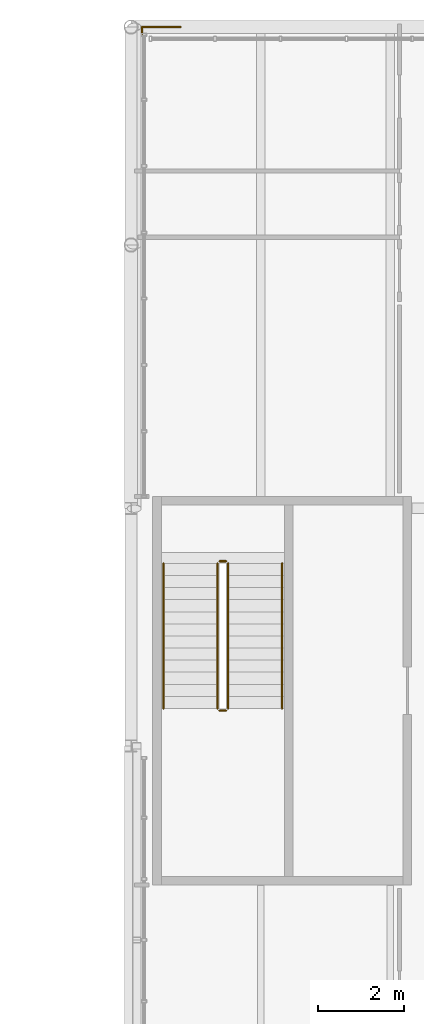
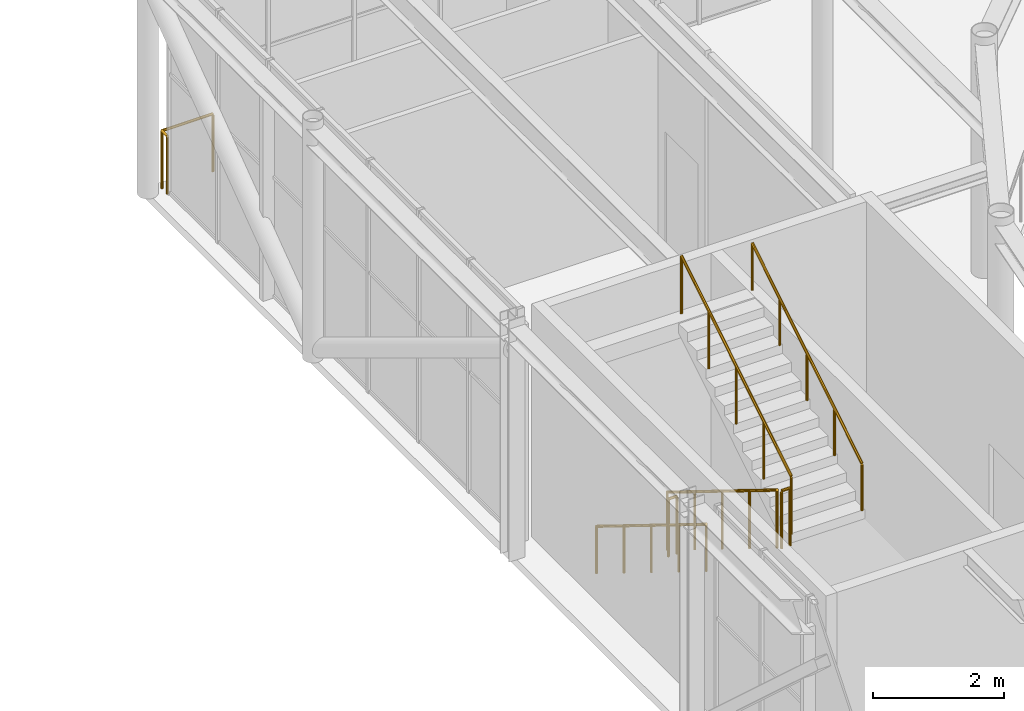
# One storey, part 66 of 70: 7 railings.
"""IFC4 building model written with IfcOpenShell, lengths in metres."""

from ifc_helpers import new_model, si_unit, direction, frame, origin, origin_2d, place, context, subcontext, project, spatial, circle, extrude, material, type_object, element, save


model = new_model("IFC4")

# Units and contexts
model_context = context("Model", 3, precision=1e-05, world=origin(), true_north=direction((0.0, 1.0)))
body_context = subcontext(model_context, "Body", "Model", "MODEL_VIEW")
ifc_project = project(units=[si_unit("LENGTHUNIT", "METRE"), si_unit("AREAUNIT", "SQUARE_METRE"), si_unit("VOLUMEUNIT", "CUBIC_METRE"), si_unit("PLANEANGLEUNIT", "RADIAN"), si_unit("MASSUNIT", "GRAM", prefix="KILO")], contexts=[model_context])

# Site, building, storey
site_placement = place(None, origin())
site = spatial("IfcSite", under=ifc_project, at=site_placement, CompositionType="ELEMENT")
building_placement = place(site_placement, origin())
building = spatial("IfcBuilding", under=site, at=building_placement, Name="Kallimachos Central Library", CompositionType="ELEMENT")
storey_placement = place(building_placement, frame((0.0, 0.0, 18.89990234375)))
storey = spatial("IfcBuildingStorey", under=building, at=storey_placement, Name="L04", CompositionType="ELEMENT", Elevation=18.89990234375)

# Railings
ifc_material_1 = material(Name="Wrought iron")
railing_type_1 = type_object("IfcRailingType", Name="Wrought-iron handrail 900", PredefinedType="HANDRAIL", material=ifc_material_1)
railing_1_placement = place(storey_placement, frame((66.25, 109.22509765625, 0.173095703125)))
element("IfcRailing", 1, at=railing_1_placement, inside=storey, type_object=railing_type_1, Name="L04 ST3 stair handrail 1", PredefinedType="HANDRAIL", context=body_context, shape_type="SweptSolid", body=[
    extrude(circle(Radius=0.02392578125, at=origin_2d()), frame((0.0, 0.0, 0.8759765625), z_axis=(0.0, -0.850623216509, 0.525775754039), x_axis=(1.0, 0.0, 0.0)), (0.0, 0.0, 1.0), 3.9501953125),
    extrude(circle(Radius=0.02099609375, at=origin_2d()), origin(), (0.0, 0.0, 1.0), 0.851806640625),
    extrude(circle(Radius=0.02099609375, at=origin_2d()), frame((0.0, -0.840087890625, 0.519287109375)), (0.0, 0.0, 1.0), 0.851806640625),
    extrude(circle(Radius=0.02099609375, at=origin_2d()), frame((0.0, -1.68017578125, 1.03857421875)), (0.0, 0.0, 1.0), 0.851806640625),
    extrude(circle(Radius=0.02099609375, at=origin_2d()), frame((0.0, -2.52001953125, 1.5576171875)), (0.0, 0.0, 1.0), 0.851806640625),
    extrude(circle(Radius=0.02099609375, at=origin_2d()), frame((0.0, -3.360107421875, 2.076904296875)), (0.0, 0.0, 1.0), 0.851806640625),
])
railing_2_placement = place(storey_placement, frame((69.0, 105.864990234375, 2.423095703125)))
element("IfcRailing", 2, at=railing_2_placement, inside=storey, type_object=railing_type_1, Name="L04 ST3 stair handrail 2", PredefinedType="HANDRAIL", context=body_context, shape_type="SweptSolid", body=[
    extrude(circle(Radius=0.02392578125, at=origin_2d()), frame((0.0, 0.0, 0.8759765625), z_axis=(0.0, 0.850623216509, 0.525775754039), x_axis=(-1.0, 0.0, 0.0)), (0.0, 0.0, 1.0), 3.9501953125),
    extrude(circle(Radius=0.02099609375, at=origin_2d()), origin(), (0.0, 0.0, 1.0), 0.851806640625),
    extrude(circle(Radius=0.02099609375, at=origin_2d()), frame((0.0, 0.840087890625, 0.519287109375)), (0.0, 0.0, 1.0), 0.851806640625),
    extrude(circle(Radius=0.02099609375, at=origin_2d()), frame((0.0, 1.68017578125, 1.03857421875)), (0.0, 0.0, 1.0), 0.851806640625),
    extrude(circle(Radius=0.02099609375, at=origin_2d()), frame((0.0, 2.52001953125, 1.5576171875)), (0.0, 0.0, 1.0), 0.851806640625),
    extrude(circle(Radius=0.02099609375, at=origin_2d()), frame((0.0, 3.360107421875, 2.076904296875)), (0.0, 0.0, 1.0), 0.851806640625),
])
ifc_material_2 = material(Name="Wrought iron")
railing_type_2 = type_object("IfcRailingType", Name="Wrought-iron stair guard 1100", PredefinedType="GUARDRAIL", material=ifc_material_2)
railing_3_placement = place(storey_placement, frame((67.5, 109.22509765625, 0.173095703125)))
element("IfcRailing", 3, at=railing_3_placement, inside=storey, type_object=railing_type_2, Name="L04 ST3 stair guard 1", PredefinedType="GUARDRAIL", context=body_context, shape_type="SweptSolid", body=[
    extrude(circle(Radius=0.02392578125, at=origin_2d()), frame((0.0, 0.0, 1.076171875), z_axis=(0.0, -0.850623216509, 0.525775754039), x_axis=(1.0, 0.0, 0.0)), (0.0, 0.0, 1.0), 3.9501953125),
    extrude(circle(Radius=0.02099609375, at=origin_2d()), origin(), (0.0, 0.0, 1.0), 1.052001953125),
    extrude(circle(Radius=0.02099609375, at=origin_2d()), frame((0.0, -0.840087890625, 0.519287109375)), (0.0, 0.0, 1.0), 1.052001953125),
    extrude(circle(Radius=0.02099609375, at=origin_2d()), frame((0.0, -1.68017578125, 1.03857421875)), (0.0, 0.0, 1.0), 1.052001953125),
    extrude(circle(Radius=0.02099609375, at=origin_2d()), frame((0.0, -2.52001953125, 1.5576171875)), (0.0, 0.0, 1.0), 1.052001953125),
    extrude(circle(Radius=0.02099609375, at=origin_2d()), frame((0.0, -3.360107421875, 2.076904296875)), (0.0, 0.0, 1.0), 1.052001953125),
])
railing_4_placement = place(storey_placement, frame((67.550048828125, 105.81494140625, 2.25)))
element("IfcRailing", 4, at=railing_4_placement, inside=storey, type_object=railing_type_2, Name="L04 ST3 stair guard 2", PredefinedType="GUARDRAIL", context=body_context, shape_type="SweptSolid", body=[
    extrude(circle(Radius=0.02392578125, at=origin_2d()), frame((0.0, 0.0, 1.076171875), z_axis=(1.0, 0.0, 0.0), x_axis=(0.0, 1.0, 0.0)), (0.0, 0.0, 1.0), 0.14990234375),
    extrude(circle(Radius=0.02099609375, at=origin_2d()), origin(), (0.0, 0.0, 1.0), 1.052001953125),
    extrude(circle(Radius=0.02099609375, at=origin_2d()), frame((0.14990234375, 0.0, 0.0)), (0.0, 0.0, 1.0), 1.052001953125),
])
railing_5_placement = place(storey_placement, frame((67.75, 105.864990234375, 2.423095703125)))
element("IfcRailing", 5, at=railing_5_placement, inside=storey, type_object=railing_type_2, Name="L04 ST3 stair guard 3", PredefinedType="GUARDRAIL", context=body_context, shape_type="SweptSolid", body=[
    extrude(circle(Radius=0.02392578125, at=origin_2d()), frame((0.0, 0.0, 1.076171875), z_axis=(0.0, 0.850623216509, 0.525775754039), x_axis=(-1.0, 0.0, 0.0)), (0.0, 0.0, 1.0), 3.9501953125),
    extrude(circle(Radius=0.02099609375, at=origin_2d()), origin(), (0.0, 0.0, 1.0), 1.052001953125),
    extrude(circle(Radius=0.02099609375, at=origin_2d()), frame((0.0, 0.840087890625, 0.519287109375)), (0.0, 0.0, 1.0), 1.052001953125),
    extrude(circle(Radius=0.02099609375, at=origin_2d()), frame((0.0, 1.68017578125, 1.03857421875)), (0.0, 0.0, 1.0), 1.052001953125),
    extrude(circle(Radius=0.02099609375, at=origin_2d()), frame((0.0, 2.52001953125, 1.5576171875)), (0.0, 0.0, 1.0), 1.052001953125),
    extrude(circle(Radius=0.02099609375, at=origin_2d()), frame((0.0, 3.360107421875, 2.076904296875)), (0.0, 0.0, 1.0), 1.052001953125),
])
railing_6_placement = place(storey_placement, frame((67.550048828125, 109.27490234375, 0.0)))
element("IfcRailing", 6, at=railing_6_placement, inside=storey, type_object=railing_type_2, Name="L04 ST3 stair guard 4", PredefinedType="GUARDRAIL", context=body_context, shape_type="SweptSolid", body=[
    extrude(circle(Radius=0.02392578125, at=origin_2d()), frame((0.0, 0.0, 1.076171875), z_axis=(1.0, 0.0, 0.0), x_axis=(0.0, 1.0, 0.0)), (0.0, 0.0, 1.0), 0.14990234375),
    extrude(circle(Radius=0.02099609375, at=origin_2d()), origin(), (0.0, 0.0, 1.0), 1.052001953125),
    extrude(circle(Radius=0.02099609375, at=origin_2d()), frame((0.14990234375, 0.0, 0.0)), (0.0, 0.0, 1.0), 1.052001953125),
])
ifc_material_3 = material(Name="Wrought iron")
railing_type_3 = type_object("IfcRailingType", Name="Wrought-iron style guard", PredefinedType="GUARDRAIL", material=ifc_material_3)
railing_7_placement = place(storey_placement, frame((65.75, 121.47998046875, 0.0)))
element("IfcRailing", 7, at=railing_7_placement, inside=storey, type_object=railing_type_3, Name="Corner ledge guard", PredefinedType="GUARDRAIL", context=body_context, shape_type="SweptSolid", body=[
    extrude(circle(Radius=0.02392578125, at=origin_2d()), frame((0.0, 0.0, 1.076171875), z_axis=(0.0, 1.0, 0.0), x_axis=(-1.0, 0.0, 0.0)), (0.0, 0.0, 1.0), 0.169921875),
    extrude(circle(Radius=0.02392578125, at=origin_2d()), frame((0.0, 0.169921875, 1.076171875), z_axis=(1.0, 0.0, 0.0), x_axis=(0.0, 1.0, 0.0)), (0.0, 0.0, 1.0), 0.89990234375),
    extrude(circle(Radius=0.02099609375, at=origin_2d()), origin(), (0.0, 0.0, 1.0), 1.052001953125),
    extrude(circle(Radius=0.02099609375, at=origin_2d()), frame((0.0, 0.169921875, 0.0)), (0.0, 0.0, 1.0), 1.052001953125),
    extrude(circle(Radius=0.02099609375, at=origin_2d()), frame((0.89990234375, 0.169921875, 0.0)), (0.0, 0.0, 1.0), 1.052001953125),
])

save(model, "model.ifc")
